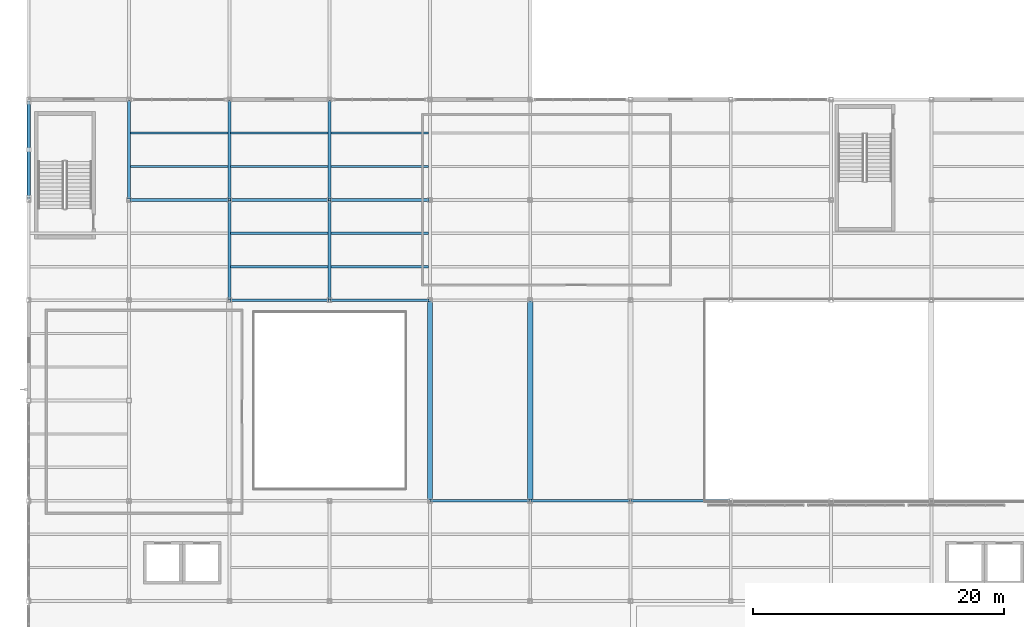
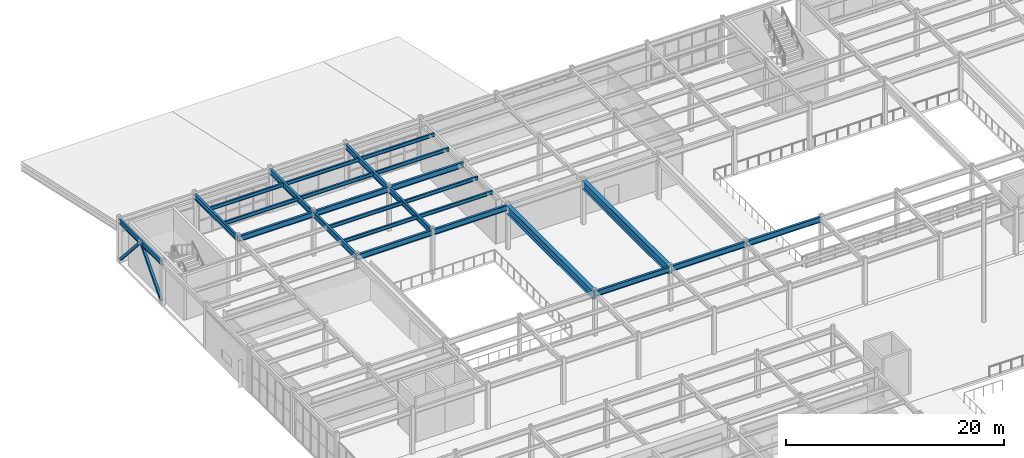
# One storey, part 32 of 77: 26 beams, 2 members.
"""IFC4 building model written with IfcOpenShell, lengths in metres."""

import ifcopenshell
import ifcopenshell.guid

model = None  # the IFC model being written
_history = None  # IfcOwnerHistory: only IFC2X3 demands one
_inside = {}  # id of a spatial element -> (the spatial element, [elements in it])
_under = {}  # id of a project, library or spatial element -> (it, [spatial elements below it])
_declared = {}  # id of a project -> (the project, [libraries it declares])
_typed = {}  # id of a type object -> (the type object, [elements of that type])
_made_of = {}  # id of a material, layer set ... -> (it, [elements and type objects made of it])


def new_model(schema):
    """Start an empty IFC model of exactly this schema.

    Asked for "IFC4X3", IfcOpenShell would pick the latest addendum, in which some entities
    have other attributes; the version numbers below select the first issue.
    IFC2X3 requires an IfcOwnerHistory on every rooted entity: one is made here for all.
    """
    global model, _history
    if schema == "IFC4X3":
        model = ifcopenshell.file(schema_version=(4, 3, 0, 0))
    else:
        model = ifcopenshell.file(schema=schema)
    _inside.clear()
    _under.clear()
    _declared.clear()
    _typed.clear()
    _made_of.clear()
    _history = None
    if model.schema == "IFC2X3":
        org = make("IfcOrganization", Name="unknown")
        user = make(
            "IfcPersonAndOrganization",
            ThePerson=make("IfcPerson", FamilyName="unknown"),
            TheOrganization=org,
        )
        app = make(
            "IfcApplication",
            ApplicationDeveloper=org,
            Version="unknown",
            ApplicationFullName="unknown",
            ApplicationIdentifier="unknown",
        )
        _history = make(
            "IfcOwnerHistory",
            OwningUser=user,
            OwningApplication=app,
            ChangeAction="ADDED",
            CreationDate=0,
        )
    return model


def make(cls, **values):
    """One entity of the class cls with the attributes given. An attribute that is None is left unset."""
    return model.create_entity(
        cls, **{name: value for name, value in values.items() if value is not None}
    )


def rooted(cls, **values):
    """An entity with a GlobalId (a new one), such as an element, a storey or a relation."""
    return make(cls, GlobalId=ifcopenshell.guid.new(), OwnerHistory=_history, **values)


def si_unit(unit_type, name, prefix=None):
    """IfcSIUnit, for example si_unit("LENGTHUNIT", "METRE", prefix="MILLI")."""
    return make("IfcSIUnit", UnitType=unit_type, Prefix=prefix, Name=name)


def assignment(units):
    """IfcUnitAssignment: the units of a project."""
    return None if units is None else make("IfcUnitAssignment", Units=units)


def point(xyz):
    """IfcCartesianPoint."""
    return None if xyz is None else make("IfcCartesianPoint", Coordinates=xyz)


def direction(xyz):
    """IfcDirection."""
    return None if xyz is None else make("IfcDirection", DirectionRatios=xyz)


def frame(location, z_axis=None, x_axis=None):
    """IfcAxis2Placement3D, a coordinate frame: its origin and axes. An axis left out is left unset."""
    return make(
        "IfcAxis2Placement3D",
        Location=point(location),
        Axis=direction(z_axis),
        RefDirection=direction(x_axis),
    )


def frame_2d(location, x_axis=None):
    """IfcAxis2Placement2D, a coordinate frame in the plane: its origin and x axis."""
    return make(
        "IfcAxis2Placement2D", Location=point(location), RefDirection=direction(x_axis)
    )


def origin():
    """The frame at (0, 0, 0) with its axes left unset."""
    return frame((0.0, 0.0, 0.0))


def origin_2d():
    """The frame at (0, 0) in the plane with its x axis left unset."""
    return frame_2d((0.0, 0.0))


def place(relative_to, where):
    """IfcLocalPlacement: puts the frame where relative to a parent placement (None: the world)."""
    return make(
        "IfcLocalPlacement", PlacementRelTo=relative_to, RelativePlacement=where
    )


def context(
    kind, dimensions, precision=None, world=None, true_north=None, identifier=None
):
    """IfcGeometricRepresentationContext, for example the 3D "Model" context."""
    return make(
        "IfcGeometricRepresentationContext",
        ContextIdentifier=identifier,
        ContextType=kind,
        CoordinateSpaceDimension=dimensions,
        Precision=precision,
        WorldCoordinateSystem=world,
        TrueNorth=true_north,
    )


def subcontext(parent, identifier, kind, view, scale=None):
    """IfcGeometricRepresentationSubContext, for example "Body" below "Model"."""
    return make(
        "IfcGeometricRepresentationSubContext",
        ContextIdentifier=identifier,
        ContextType=kind,
        ParentContext=parent,
        TargetScale=scale,
        TargetView=view,
    )


def project(units=None, contexts=None):
    """IfcProject with its units and contexts."""
    return rooted(
        "IfcProject",
        Name="project",
        RepresentationContexts=contexts,
        UnitsInContext=assignment(units),
    )


def spatial(cls, under=None, at=None, **own):
    """A site, building, storey or space (cls), placed at a placement, below another one or the project."""
    s = rooted(cls, ObjectPlacement=at, **own)
    if under is not None:
        _under.setdefault(under.id(), (under, []))[1].append(s)
    return s


def profile(cls, at=None, kind="AREA", **sizes):
    """A parametric profile (cls). Its sizes go by their IFC names, for example OverallWidth=200.0."""
    return make(cls, ProfileType=kind, Position=at, **sizes)


def hollow_rectangle(**sizes):
    """IfcRectangleHollowProfileDef."""
    return profile("IfcRectangleHollowProfileDef", **sizes)


def i_section(**sizes):
    """IfcIShapeProfileDef."""
    return profile("IfcIShapeProfileDef", **sizes)


def extrude(swept, where, along, depth):
    """IfcExtrudedAreaSolid: the profile swept, set in the frame where, extruded along a direction by depth."""
    return make(
        "IfcExtrudedAreaSolid",
        SweptArea=swept,
        Position=where,
        ExtrudedDirection=direction(along),
        Depth=depth,
    )


def shape(context_of_items, identifier, shape_type, items):
    """IfcShapeRepresentation: the items that make up one representation, for example the "Body"."""
    return make(
        "IfcShapeRepresentation",
        ContextOfItems=context_of_items,
        RepresentationIdentifier=identifier,
        RepresentationType=shape_type,
        Items=items,
    )


def material(Name=None, Category=None):
    """IfcMaterial."""
    return make("IfcMaterial", Name=Name, Category=Category)


def material_profile(
    of_material, cross_section, Name=None, Category=None, Priority=None
):
    """IfcMaterialProfile: a cross section and its material."""
    return make(
        "IfcMaterialProfile",
        Name=Name,
        Material=of_material,
        Profile=cross_section,
        Priority=Priority,
        Category=Category,
    )


def profile_set(profiles, Name=None, composite=None):
    """IfcMaterialProfileSet."""
    return make(
        "IfcMaterialProfileSet",
        Name=Name,
        MaterialProfiles=profiles,
        CompositeProfile=composite,
    )


def made_of(thing, what):
    """Note that an element or type object is made of a material, layer set ...; save() writes the relation."""
    if what is not None:
        _made_of.setdefault(what.id(), (what, []))[1].append(thing)
    return thing


def type_object(cls, material=None, **own):
    """A type object (cls), such as IfcWallType, which elements share."""
    return made_of(rooted(cls, **own), material)


def element(
    cls,
    number,
    at=None,
    inside=None,
    cuts=None,
    type_object=None,
    material=None,
    context=None,
    identifier="Body",
    shape_type=None,
    held_by="IfcProductDefinitionShape",
    body=None,
    shapes=None,
    **own,
):
    """One element of the class cls, such as IfcWall. Its Tag is "e" and its number.

    at: its placement. inside: the storey or other place that contains it. cuts: it is an
    opening in that element (IfcRelVoidsElement). A single representation is given by context,
    identifier, shape_type and body (its items); several are given by shapes. held_by: the class
    of the entity that holds the representations. save() writes the other relations.
    """
    e = rooted(cls, Tag="e%d" % number, ObjectPlacement=at, **own)
    if body is not None:
        shapes = [shape(context, identifier, shape_type, body)]
    if shapes is not None:
        e.Representation = make(held_by, Representations=shapes)
    if inside is not None:
        _inside.setdefault(inside.id(), (inside, []))[1].append(e)
    if cuts is not None:
        rooted(
            "IfcRelVoidsElement", RelatingBuildingElement=cuts, RelatedOpeningElement=e
        )
    if type_object is not None:
        _typed.setdefault(type_object.id(), (type_object, []))[1].append(e)
    return made_of(e, material)


def aggregate(whole, parts):
    """IfcRelAggregates: a whole, such as a stair, and the parts it consists of."""
    return rooted("IfcRelAggregates", RelatingObject=whole, RelatedObjects=parts)


def save(model, path):
    """Write the relations noted so far, then the file.

    IfcRelAggregates (storeys below a building ...), IfcRelContainedInSpatialStructure (elements
    in a storey), IfcRelDefinesByType, IfcRelAssociatesMaterial and IfcRelDeclares: one each for
    every whole, place, type object, material and project.
    """
    for whole, parts in _under.values():
        aggregate(whole, parts)
    for where, things in _inside.values():
        rooted(
            "IfcRelContainedInSpatialStructure",
            RelatedElements=things,
            RelatingStructure=where,
        )
    for kind, things in _typed.values():
        rooted("IfcRelDefinesByType", RelatedObjects=things, RelatingType=kind)
    for what, things in _made_of.values():
        rooted("IfcRelAssociatesMaterial", RelatedObjects=things, RelatingMaterial=what)
    for by, libraries in _declared.values():
        rooted("IfcRelDeclares", RelatingContext=by, RelatedDefinitions=libraries)
    model.write(path)


model = new_model("IFC4")

# Units and contexts
model_context = context("Model", 3, precision=1e-05, world=origin(), true_north=direction((0.0, 1.0)))
body_context = subcontext(model_context, "Body", "Model", "MODEL_VIEW")
ifc_project = project(units=[si_unit("LENGTHUNIT", "METRE"), si_unit("AREAUNIT", "SQUARE_METRE"), si_unit("VOLUMEUNIT", "CUBIC_METRE"), si_unit("PLANEANGLEUNIT", "RADIAN"), si_unit("MASSUNIT", "GRAM", prefix="KILO")], contexts=[model_context])

# Site, building, storey
site_placement = place(None, origin())
site = spatial("IfcSite", under=ifc_project, at=site_placement, CompositionType="ELEMENT")
building_placement = place(site_placement, origin())
building = spatial("IfcBuilding", under=site, at=building_placement, Name="Drelvath Fold Interchange", CompositionType="ELEMENT")
storey_placement = place(building_placement, frame((0.0, 0.0, 6.0)))
storey = spatial("IfcBuildingStorey", under=building, at=storey_placement, Name="L01", CompositionType="ELEMENT", Elevation=6.0)

# Beams
ifc_material_1 = material(Name="Steel ASTM A992 Grade 50", Category="steel")
ifc_material_profile_1 = material_profile(ifc_material_1, i_section(OverallWidth=0.177978515625, OverallDepth=0.403076171875, WebThickness=0.007568359375, FlangeThickness=0.010986328125, at=origin_2d()), Name="W16X36")
ifc_profile_set_1 = profile_set([ifc_material_profile_1], Name="Steel ASTM A992 Grade 50")
beam_type_1 = type_object("IfcBeamType", Name="BM-W16X36", PredefinedType="JOIST", material=ifc_profile_set_1)
for number, where, z_axis, x_axis, name in (
    (1, (12.113037109375, 93.6669921875, 4.748046875), (1.0, 0.0, 0.0), (0.0, 1.0, 0.0), "L01 Secondary floor joist BM-W16X36"),
    (2, (12.113037109375, 96.3330078125, 4.748046875), (1.0, 0.0, 0.0), (0.0, 1.0, 0.0), "L01 Secondary floor joist BM-W16X36"),
    (3, (20.113037109375, 85.6669921875, 4.748046875), (1.0, 0.0, 0.0), (0.0, 1.0, 0.0), "L01 Secondary floor joist BM-W16X36"),
    (4, (20.113037109375, 88.3330078125, 4.748046875), (1.0, 0.0, 0.0), (0.0, 1.0, 0.0), "L01 Secondary floor joist BM-W16X36"),
    (5, (20.113037109375, 93.6669921875, 4.748046875), (1.0, 0.0, 0.0), (0.0, 1.0, 0.0), "L01 Secondary floor joist BM-W16X36"),
    (6, (20.113037109375, 96.3330078125, 4.748046875), (1.0, 0.0, 0.0), (0.0, 1.0, 0.0), "L01 Secondary floor joist BM-W16X36"),
    (7, (28.113037109375, 85.6669921875, 4.748046875), (1.0, 0.0, 0.0), (0.0, 1.0, 0.0), "L01 Secondary floor joist BM-W16X36"),
    (8, (28.113037109375, 88.3330078125, 4.748046875), (1.0, 0.0, 0.0), (0.0, 1.0, 0.0), "L01 Secondary floor joist BM-W16X36"),
    (9, (28.113037109375, 93.6669921875, 4.748046875), (1.0, 0.0, 0.0), (0.0, 1.0, 0.0), "L01 Secondary floor joist BM-W16X36"),
    (10, (28.113037109375, 96.3330078125, 4.748046875), (1.0, 0.0, 0.0), (0.0, 1.0, 0.0), "L01 Secondary floor joist BM-W16X36"),
):
    element("IfcBeam", number, at=place(storey_placement, frame(where, z_axis=z_axis, x_axis=x_axis)), inside=storey, type_object=beam_type_1, Name=name, PredefinedType="JOIST", context=body_context, shape_type="SweptSolid", body=[
        extrude(i_section(OverallWidth=0.177978515625, OverallDepth=0.403076171875, WebThickness=0.007568359375, FlangeThickness=0.010986328125, at=origin_2d()), origin(), (0.0, 0.0, 1.0), 7.77392578125),
    ])
ifc_material_profile_2 = material_profile(ifc_material_1, i_section(OverallWidth=0.2099609375, OverallDepth=0.537109375, WebThickness=0.010986328125, FlangeThickness=0.017333984375, at=origin_2d()), Name="W21X68")
ifc_profile_set_2 = profile_set([ifc_material_profile_2], Name="Steel ASTM A992 Grade 50")
beam_type_2 = type_object("IfcBeamType", Name="BM-W21X68", PredefinedType="SPANDREL", material=ifc_profile_set_2)
beam_placement = place(storey_placement, frame((4.0, 91.06005859375, 4.680908203125), z_axis=(0.0, 1.0, 0.0), x_axis=(-1.0, 0.0, 0.0)))
element("IfcBeam", 11, at=beam_placement, inside=storey, type_object=beam_type_2, Name="L01 Primary Y girder BM-W21X68", PredefinedType="SPANDREL", context=body_context, shape_type="SweptSolid", body=[
    extrude(i_section(OverallWidth=0.2099609375, OverallDepth=0.537109375, WebThickness=0.010986328125, FlangeThickness=0.017333984375, at=origin_2d()), origin(), (0.0, 0.0, 1.0), 7.8798828125),
])
ifc_material_profile_3 = material_profile(ifc_material_1, i_section(OverallWidth=0.22998046875, OverallDepth=0.616943359375, WebThickness=0.01318359375, FlangeThickness=0.022216796875, at=origin_2d()), Name="W24X94")
ifc_profile_set_3 = profile_set([ifc_material_profile_3], Name="Steel ASTM A992 Grade 50")
beam_type_3 = type_object("IfcBeamType", Name="BM-W24X94", PredefinedType="BEAM", material=ifc_profile_set_3)
for number, where, z_axis, x_axis, name in (
    (12, (36.06005859375, 67.0, 4.64111328125), (1.0, 0.0, 0.0), (0.0, 1.0, 0.0), "L01 Primary X girder BM-W24X94"),
    (13, (44.06005859375, 67.0, 4.64111328125), (1.0, 0.0, 0.0), (0.0, 1.0, 0.0), "L01 Primary X girder BM-W24X94"),
    (14, (52.06005859375, 67.0, 4.64111328125), (1.0, 0.0, 0.0), (0.0, 1.0, 0.0), "L01 Primary X girder BM-W24X94"),
    (15, (20.06005859375, 83.0, 4.64111328125), (1.0, 0.0, 0.0), (0.0, 1.0, 0.0), "L01 Primary X girder BM-W24X94"),
    (16, (28.06005859375, 83.0, 4.64111328125), (1.0, 0.0, 0.0), (0.0, 1.0, 0.0), "L01 Primary X girder BM-W24X94"),
    (17, (12.06005859375, 91.0, 4.64111328125), (1.0, 0.0, 0.0), (0.0, 1.0, 0.0), "L01 Primary X girder BM-W24X94"),
    (18, (20.06005859375, 91.0, 4.64111328125), (1.0, 0.0, 0.0), (0.0, 1.0, 0.0), "L01 Primary X girder BM-W24X94"),
    (19, (28.06005859375, 91.0, 4.64111328125), (1.0, 0.0, 0.0), (0.0, 1.0, 0.0), "L01 Primary X girder BM-W24X94"),
    (20, (12.0, 91.06005859375, 4.64111328125), (0.0, 1.0, 0.0), (-1.0, 0.0, 0.0), "L01 Primary Y girder BM-W24X94"),
    (21, (20.0, 83.06005859375, 4.64111328125), (0.0, 1.0, 0.0), (-1.0, 0.0, 0.0), "L01 Primary Y girder BM-W24X94"),
    (22, (20.0, 91.06005859375, 4.64111328125), (0.0, 1.0, 0.0), (-1.0, 0.0, 0.0), "L01 Primary Y girder BM-W24X94"),
    (23, (28.0, 83.06005859375, 4.64111328125), (0.0, 1.0, 0.0), (-1.0, 0.0, 0.0), "L01 Primary Y girder BM-W24X94"),
    (24, (28.0, 91.06005859375, 4.64111328125), (0.0, 1.0, 0.0), (-1.0, 0.0, 0.0), "L01 Primary Y girder BM-W24X94"),
):
    element("IfcBeam", number, at=place(storey_placement, frame(where, z_axis=z_axis, x_axis=x_axis)), inside=storey, type_object=beam_type_3, Name=name, PredefinedType="BEAM", context=body_context, shape_type="SweptSolid", body=[
        extrude(i_section(OverallWidth=0.22998046875, OverallDepth=0.616943359375, WebThickness=0.01318359375, FlangeThickness=0.022216796875, at=origin_2d()), origin(), (0.0, 0.0, 1.0), 7.8798828125),
    ])
ifc_material_profile_4 = material_profile(ifc_material_1, i_section(OverallWidth=0.41796875, OverallDepth=0.927001953125, WebThickness=0.019287109375, FlangeThickness=0.031982421875, at=origin_2d()), Name="W36X231")
ifc_profile_set_4 = profile_set([ifc_material_profile_4], Name="Steel ASTM A992 Grade 50")
beam_type_4 = type_object("IfcBeamType", Name="BM-W36X231", PredefinedType="USERDEFINED", material=ifc_profile_set_4)
for number, where, z_axis, x_axis, name in (
    (25, (36.0, 67.06005859375, 4.486083984375), (0.0, 1.0, 0.0), (-1.0, 0.0, 0.0), "L01 Primary Y girder BM-W36X231"),
    (26, (44.0, 67.06005859375, 4.486083984375), (0.0, 1.0, 0.0), (-1.0, 0.0, 0.0), "L01 Primary Y girder BM-W36X231"),
):
    element("IfcBeam", number, at=place(storey_placement, frame(where, z_axis=z_axis, x_axis=x_axis)), inside=storey, type_object=beam_type_4, Name=name, ObjectType="GIRDER", PredefinedType="USERDEFINED", context=body_context, shape_type="SweptSolid", body=[
        extrude(i_section(OverallWidth=0.41796875, OverallDepth=0.927001953125, WebThickness=0.019287109375, FlangeThickness=0.031982421875, at=origin_2d()), origin(), (0.0, 0.0, 1.0), 15.8798828125),
    ])

# Members
ifc_material_2 = material(Name="Steel ASTM A500 Grade C", Category="steel")
ifc_material_profile_5 = material_profile(ifc_material_2, hollow_rectangle(XDim=0.25390625, YDim=0.25390625, WallThickness=0.01171875, at=origin_2d()), Name="HSS10X10X1/2")
ifc_profile_set_5 = profile_set([ifc_material_profile_5], Name="Steel ASTM A500 Grade C")
member_type = type_object("IfcMemberType", Name="BR-CBF254", PredefinedType="BRACE", material=ifc_profile_set_5)
for number, where, z_axis, x_axis, name in (
    (27, (4.0, 91.18603515625, 0.3701171875), (0.0, 0.662629708149, 0.748947174291), (-1.0, 0.0, 0.0), "L01 Concentrically braced frame diagonal BR-CBF254"),
    (28, (4.0, 98.81396484375, 0.3701171875), (0.0, -0.662629708149, 0.748947174291), (1.0, 0.0, 0.0), "L01 Concentrically braced frame diagonal BR-CBF254"),
):
    element("IfcMember", number, at=place(storey_placement, frame(where, z_axis=z_axis, x_axis=x_axis)), inside=storey, type_object=member_type, Name=name, PredefinedType="BRACE", context=body_context, shape_type="SweptSolid", body=[
        extrude(hollow_rectangle(XDim=0.25390625, YDim=0.25390625, WallThickness=0.01171875, at=origin_2d()), origin(), (0.0, 0.0, 1.0), 5.755859375),
    ])

save(model, "model.ifc")
